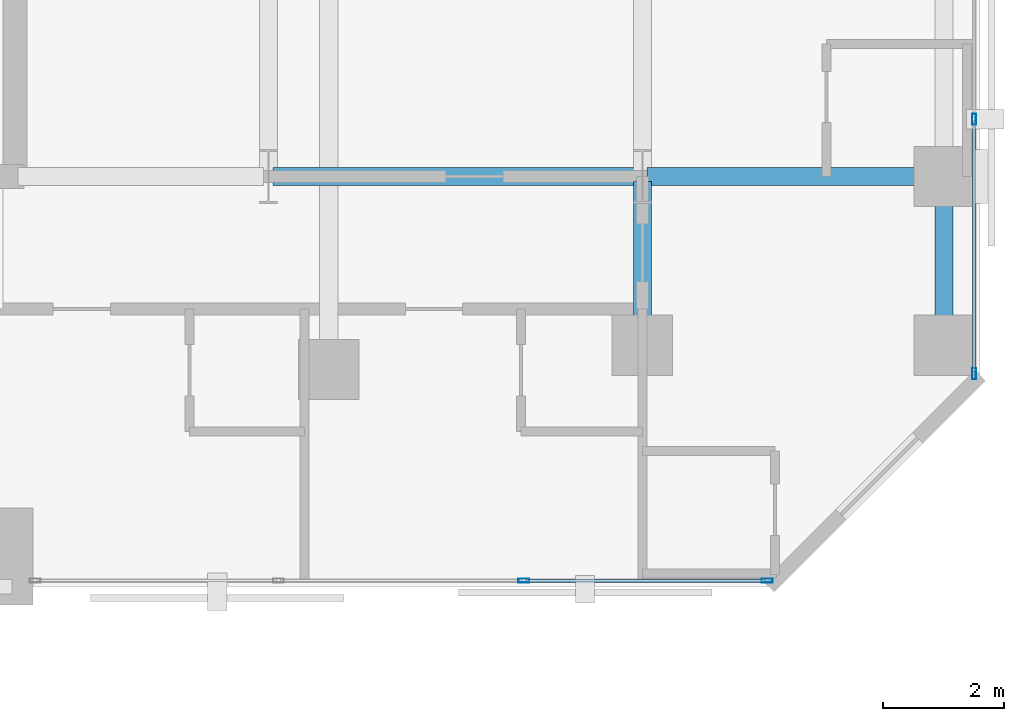
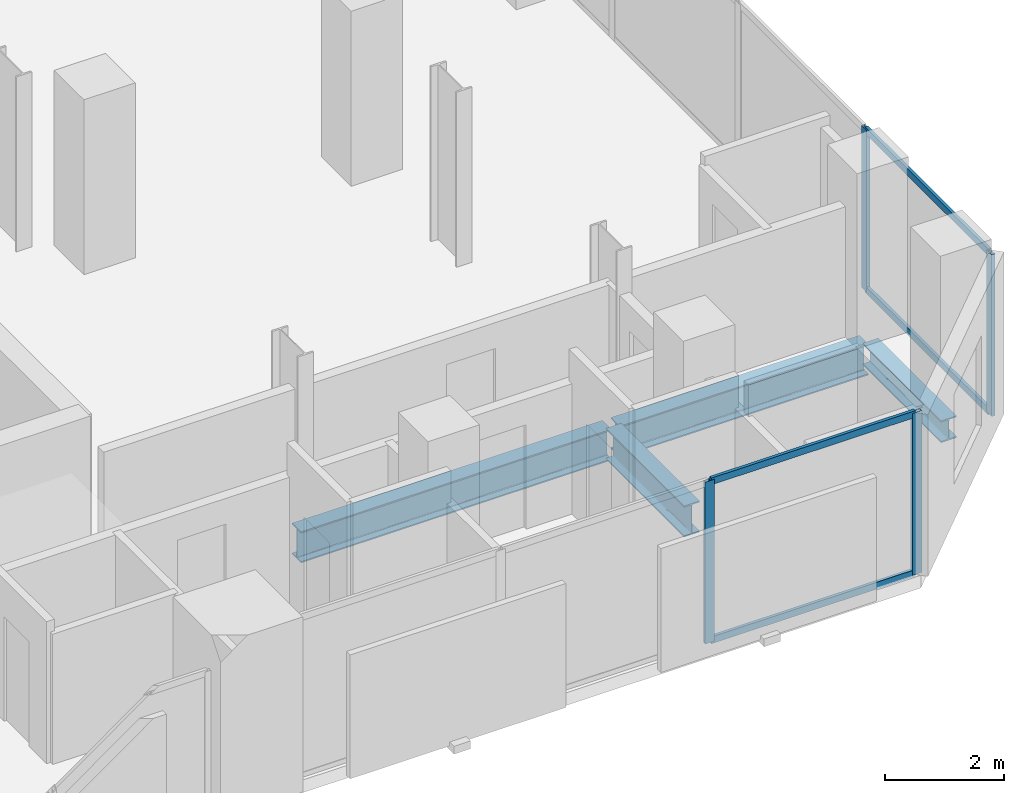
# One storey, part 15 of 31: 8 members, 4 beams, 2 elements without a shape of their own.
"""IFC4 building model written with IfcOpenShell, lengths in metres."""

from ifc_helpers import new_model, si_unit, direction, frame, origin, origin_2d, place, context, subcontext, project, spatial, hollow_rectangle, i_section, extrude, material, layer, layer_set, material_profile, profile_set, type_object, element, aggregate, save


model = new_model("IFC4")

# Units and contexts
model_context = context("Model", 3, precision=1e-05, world=origin(), true_north=direction((0.0, 1.0)))
body_context = subcontext(model_context, "Body", "Model", "MODEL_VIEW")
ifc_project = project(units=[si_unit("LENGTHUNIT", "METRE"), si_unit("AREAUNIT", "SQUARE_METRE"), si_unit("VOLUMEUNIT", "CUBIC_METRE"), si_unit("PLANEANGLEUNIT", "RADIAN"), si_unit("MASSUNIT", "GRAM", prefix="KILO")], contexts=[model_context])

# Site, building, storey
site_placement = place(None, origin())
site = spatial("IfcSite", under=ifc_project, at=site_placement, CompositionType="ELEMENT")
building_placement = place(site_placement, origin())
building = spatial("IfcBuilding", under=site, at=building_placement, Name="Catumbela Crestline Tower", CompositionType="ELEMENT")
storey_placement = place(building_placement, frame((0.0, 0.0, 25.8)))
storey = spatial("IfcBuildingStorey", under=building, at=storey_placement, Name="L05", CompositionType="ELEMENT", Elevation=25.8)

# Beams
ifc_material_1 = material(Name="Structural steel S355J2", Category="steel")
ifc_material_profile_1 = material_profile(ifc_material_1, i_section(OverallWidth=0.3, OverallDepth=0.64, WebThickness=0.0135, FlangeThickness=0.026, FilletRadius=0.027, at=origin_2d()), Name="HEA 650")
ifc_profile_set_1 = profile_set([ifc_material_profile_1], Name="Structural steel S355J2")
beam_type_1 = type_object("IfcBeamType", Name="BG-HEA650", PredefinedType="BEAM", material=ifc_profile_set_1)
beam_1_placement = place(storey_placement, frame((44.28, 30.8, -0.58), z_axis=(1.0, 0.0, 0.0), x_axis=(0.0, 1.0, 0.0)))
element("IfcBeam", 1, at=beam_1_placement, inside=storey, type_object=beam_type_1, Name="L05 Beam BM-L05-M11", PredefinedType="BEAM", context=body_context, shape_type="SweptSolid", body=[
    extrude(i_section(OverallWidth=0.3, OverallDepth=0.64, WebThickness=0.0135, FlangeThickness=0.026, FilletRadius=0.027, at=origin_2d()), origin(), (0.0, 0.0, 1.0), 6.04),
])
beam_2_placement = place(storey_placement, frame((50.48, 30.8, -0.58), z_axis=(1.0, 0.0, 0.0), x_axis=(0.0, 1.0, 0.0)))
element("IfcBeam", 2, at=beam_2_placement, inside=storey, type_object=beam_type_1, Name="L05 Beam BM-L05-M12", PredefinedType="BEAM", context=body_context, shape_type="SweptSolid", body=[
    extrude(i_section(OverallWidth=0.3, OverallDepth=0.64, WebThickness=0.0135, FlangeThickness=0.026, FilletRadius=0.027, at=origin_2d()), origin(), (0.0, 0.0, 1.0), 4.84),
])
beam_3_placement = place(storey_placement, frame((50.4, 28.08, -0.58), z_axis=(0.0, 1.0, 0.0), x_axis=(-1.0, 0.0, 0.0)))
element("IfcBeam", 3, at=beam_3_placement, inside=storey, type_object=beam_type_1, Name="L05 Beam BM-L05-SN37", PredefinedType="BEAM", context=body_context, shape_type="SweptSolid", body=[
    extrude(i_section(OverallWidth=0.3, OverallDepth=0.64, WebThickness=0.0135, FlangeThickness=0.026, FilletRadius=0.027, at=origin_2d()), origin(), (0.0, 0.0, 1.0), 2.64),
])

# Curtain wall, members
ifc_material_2 = material(Name="Aluminium alloy AW-6060-T66", Category="aluminium")
ifc_layer = layer(ifc_material_2, 0.18, Name="Aluminium alloy AW-6060-T66")
ifc_layer_set = layer_set([ifc_layer], Name="Aluminium alloy AW-6060-T66")
curtain_wall_type = type_object("IfcCurtainWallType", Name="CWU-Z1", PredefinedType="USERDEFINED", material=ifc_layer_set)
curtain_wall_1_placement = place(storey_placement, origin())
curtain_wall_1 = element("IfcCurtainWall", 4, at=curtain_wall_1_placement, inside=storey, type_object=curtain_wall_type, Name="L05 Unitised Curtain Wall CW-L05-E3S3", ObjectType="UNITISED", PredefinedType="USERDEFINED")
ifc_material_profile_2 = material_profile(ifc_material_2, hollow_rectangle(XDim=0.065, YDim=0.18, WallThickness=0.004, at=origin_2d()), Name="ALU 180x65x4")
ifc_profile_set_2 = profile_set([ifc_material_profile_2], Name="Aluminium alloy AW-6060-T66")
member_type_1 = type_object("IfcMemberType", Name="MUL-180X65", PredefinedType="MULLION", material=ifc_profile_set_2)
member_1_placement = place(storey_placement, frame((48.4333, 24.1, 0.0), z_axis=(0.0, 0.0, 1.0), x_axis=(0.0, 1.0, 0.0)))
member_1 = element("IfcMember", 5, at=member_1_placement, type_object=member_type_1, Name="CWU-Z1 mullion 3", PredefinedType="MULLION", context=body_context, shape_type="SweptSolid", body=[
    extrude(hollow_rectangle(XDim=0.065, YDim=0.18, WallThickness=0.004, at=origin_2d()), origin(), (0.0, 0.0, 1.0), 3.33),
])
member_2_placement = place(storey_placement, frame((52.4675, 24.1, 0.0), z_axis=(0.0, 0.0, 1.0), x_axis=(0.0, 1.0, 0.0)))
member_2 = element("IfcMember", 6, at=member_2_placement, type_object=member_type_1, Name="CWU-Z1 mullion 4", PredefinedType="MULLION", context=body_context, shape_type="SweptSolid", body=[
    extrude(hollow_rectangle(XDim=0.065, YDim=0.18, WallThickness=0.004, at=origin_2d()), origin(), (0.0, 0.0, 1.0), 3.33),
])

curtain_wall_2_placement = place(storey_placement, origin())
curtain_wall_2 = element("IfcCurtainWall", 7, at=curtain_wall_2_placement, inside=storey, type_object=curtain_wall_type, Name="L05 Unitised Curtain Wall CW-L05-E5S1", ObjectType="UNITISED", PredefinedType="USERDEFINED")
member_3_placement = place(storey_placement, frame((55.9, 27.5325, 0.0), z_axis=(0.0, 0.0, 1.0), x_axis=(-1.0, 0.0, 0.0)))
member_3 = element("IfcMember", 8, at=member_3_placement, type_object=member_type_1, Name="CWU-Z1 mullion 1", PredefinedType="MULLION", context=body_context, shape_type="SweptSolid", body=[
    extrude(hollow_rectangle(XDim=0.065, YDim=0.18, WallThickness=0.004, at=origin_2d()), origin(), (0.0, 0.0, 1.0), 3.33),
])
member_4_placement = place(storey_placement, frame((55.9, 31.75, 0.0), z_axis=(0.0, 0.0, 1.0), x_axis=(-1.0, 0.0, 0.0)))
member_4 = element("IfcMember", 9, at=member_4_placement, type_object=member_type_1, Name="CWU-Z1 mullion 2", PredefinedType="MULLION", context=body_context, shape_type="SweptSolid", body=[
    extrude(hollow_rectangle(XDim=0.065, YDim=0.18, WallThickness=0.004, at=origin_2d()), origin(), (0.0, 0.0, 1.0), 3.33),
])

# Beam
ifc_material_profile_3 = material_profile(ifc_material_1, i_section(OverallWidth=0.3, OverallDepth=0.45, WebThickness=0.014, FlangeThickness=0.026, FilletRadius=0.027, at=origin_2d()), Name="HEB 450")
ifc_profile_set_3 = profile_set([ifc_material_profile_3], Name="Structural steel S355J2")
beam_type_2 = type_object("IfcBeamType", Name="BS-HEB450", PredefinedType="SPANDREL", material=ifc_profile_set_3)
beam_4_placement = place(storey_placement, frame((55.4, 28.08, -0.485), z_axis=(0.0, 1.0, 0.0), x_axis=(-1.0, 0.0, 0.0)))
element("IfcBeam", 10, at=beam_4_placement, inside=storey, type_object=beam_type_2, Name="L05 Spandrel SP-L05-SN40", PredefinedType="SPANDREL", context=body_context, shape_type="SweptSolid", body=[
    extrude(i_section(OverallWidth=0.3, OverallDepth=0.45, WebThickness=0.014, FlangeThickness=0.026, FilletRadius=0.027, at=origin_2d()), origin(), (0.0, 0.0, 1.0), 2.64),
])

# Member
ifc_material_profile_4 = material_profile(ifc_material_2, hollow_rectangle(XDim=0.06, YDim=0.14, WallThickness=0.004, at=origin_2d()), Name="ALU 140x60x4")
ifc_profile_set_4 = profile_set([ifc_material_profile_4], Name="Aluminium alloy AW-6060-T66")
member_type_2 = type_object("IfcMemberType", Name="TRN-140X60", PredefinedType="USERDEFINED", material=ifc_profile_set_4)
member_5_placement = place(storey_placement, frame((48.4658, 24.1, 0.03), z_axis=(1.0, 0.0, 0.0), x_axis=(0.0, 1.0, 0.0)))
member_5 = element("IfcMember", 11, at=member_5_placement, type_object=member_type_2, Name="CWU-Z1 transom 3.1", ObjectType="TRANSOM", PredefinedType="USERDEFINED", context=body_context, shape_type="SweptSolid", body=[
    extrude(hollow_rectangle(XDim=0.06, YDim=0.14, WallThickness=0.004, at=origin_2d()), origin(), (0.0, 0.0, 1.0), 3.9692),
])

member_6_placement = place(storey_placement, frame((48.4658, 24.1, 3.3), z_axis=(1.0, 0.0, 0.0), x_axis=(0.0, 1.0, 0.0)))
member_6 = element("IfcMember", 12, at=member_6_placement, type_object=member_type_2, Name="CWU-Z1 transom 3.2", ObjectType="TRANSOM", PredefinedType="USERDEFINED", context=body_context, shape_type="SweptSolid", body=[
    extrude(hollow_rectangle(XDim=0.06, YDim=0.14, WallThickness=0.004, at=origin_2d()), origin(), (0.0, 0.0, 1.0), 3.9692),
])

aggregate(curtain_wall_1, [member_1, member_2, member_5, member_6])

member_7_placement = place(storey_placement, frame((55.9, 27.565, 0.03), z_axis=(0.0, 1.0, 0.0), x_axis=(-1.0, 0.0, 0.0)))
member_7 = element("IfcMember", 13, at=member_7_placement, type_object=member_type_2, Name="CWU-Z1 transom 1.1", ObjectType="TRANSOM", PredefinedType="USERDEFINED", context=body_context, shape_type="SweptSolid", body=[
    extrude(hollow_rectangle(XDim=0.06, YDim=0.14, WallThickness=0.004, at=origin_2d()), origin(), (0.0, 0.0, 1.0), 4.1525),
])

member_8_placement = place(storey_placement, frame((55.9, 27.565, 3.3), z_axis=(0.0, 1.0, 0.0), x_axis=(-1.0, 0.0, 0.0)))
member_8 = element("IfcMember", 14, at=member_8_placement, type_object=member_type_2, Name="CWU-Z1 transom 1.2", ObjectType="TRANSOM", PredefinedType="USERDEFINED", context=body_context, shape_type="SweptSolid", body=[
    extrude(hollow_rectangle(XDim=0.06, YDim=0.14, WallThickness=0.004, at=origin_2d()), origin(), (0.0, 0.0, 1.0), 4.1525),
])

aggregate(curtain_wall_2, [member_3, member_4, member_7, member_8])

save(model, "model.ifc")
